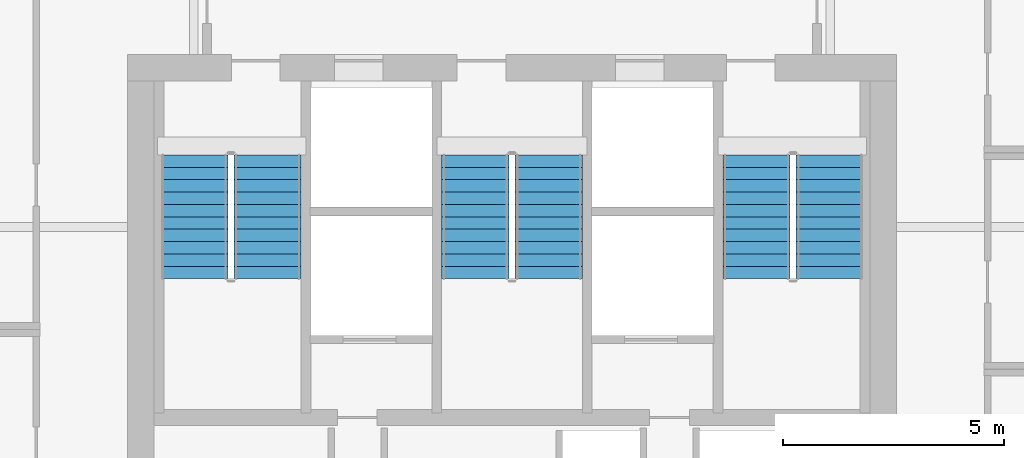
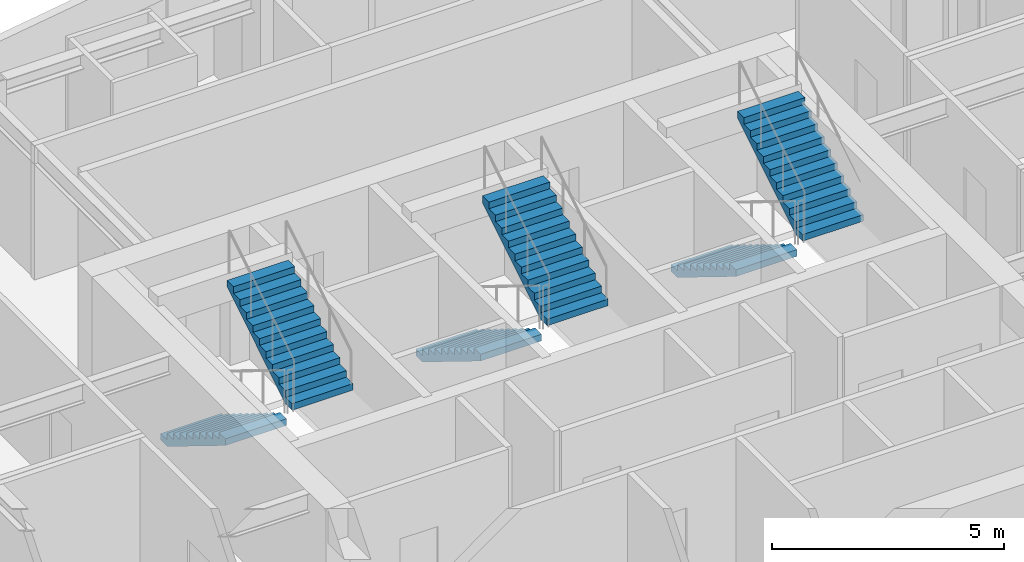
# One storey, part 10 of 11: 6 stair flights, 3 elements without a shape of their own.
"""IFC4 building model written with IfcOpenShell, lengths in metres."""

from ifc_helpers import new_model, si_unit, direction, frame, origin, place, context, subcontext, project, spatial, polyline, outline, extrude, material, type_object, element, aggregate, save


model = new_model("IFC4")

# Units and contexts
model_context = context("Model", 3, precision=1e-05, world=origin(), true_north=direction((0.0, 1.0)))
body_context = subcontext(model_context, "Body", "Model", "MODEL_VIEW")
ifc_project = project(units=[si_unit("LENGTHUNIT", "METRE"), si_unit("AREAUNIT", "SQUARE_METRE"), si_unit("VOLUMEUNIT", "CUBIC_METRE"), si_unit("PLANEANGLEUNIT", "RADIAN"), si_unit("MASSUNIT", "GRAM", prefix="KILO")], contexts=[model_context])

# Site, building, storey
site_placement = place(None, origin())
site = spatial("IfcSite", under=ifc_project, at=site_placement, CompositionType="ELEMENT")
building_placement = place(site_placement, origin())
building = spatial("IfcBuilding", under=site, at=building_placement, Name="Haolan Belvedere Tower", CompositionType="ELEMENT")
storey_placement = place(building_placement, frame((0.0, 0.0, 226.800048828125)))
storey = spatial("IfcBuildingStorey", under=building, at=storey_placement, Name="L57", CompositionType="ELEMENT", Elevation=226.800048828125)

# Stair, stair flights
ifc_material = material(Name="Concrete C40/50", Category="concrete")
stair_type = type_object("IfcStairType", Name="STR-DL-22R-173", PredefinedType="HALF_TURN_STAIR", material=ifc_material)
stair_1_placement = place(storey_placement, origin())
stair_1 = element("IfcStair", 1, at=stair_1_placement, inside=storey, type_object=stair_type, Name="L57 Smokeproof Core Exit Stair ST1", PredefinedType="HALF_TURN_STAIR")
stair_flight_type = type_object("IfcStairFlightType", Name="SFL-DL-11R-173", PredefinedType="STRAIGHT", material=ifc_material)
stair_flight_1_placement = place(storey_placement, frame((31.2099609375, 41.22998046875, 0.0), z_axis=(0.0, 0.0, 1.0), x_axis=(0.0, -1.0, 0.0)))
stair_flight_1 = element("IfcStairFlight", 2, at=stair_flight_1_placement, type_object=stair_flight_type, Name="ST1 flight 1", NumberOfRisers=11, NumberOfTreads=10, PredefinedType="STRAIGHT", RiserHeight=0.172727273, TreadLength=0.28, context=body_context, shape_type="SweptSolid", body=[
    extrude(outline(polyline([(0.0, 0.0), (0.0, 0.172607421875), (0.280029296875, 0.172607421875), (0.280029296875, 0.345458984375), (0.56005859375, 0.345458984375), (0.56005859375, 0.51806640625), (0.840087890625, 0.51806640625), (0.840087890625, 0.69091796875), (1.1201171875, 0.69091796875), (1.1201171875, 0.863525390625), (1.39990234375, 0.863525390625), (1.39990234375, 1.036376953125), (1.679931640625, 1.036376953125), (1.679931640625, 1.208984375), (1.9599609375, 1.208984375), (1.9599609375, 1.3818359375), (2.239990234375, 1.3818359375), (2.239990234375, 1.554443359375), (2.52001953125, 1.554443359375), (2.52001953125, 1.727294921875), (2.800048828125, 1.727294921875), (2.800048828125, 1.89990234375), (2.800048828125, 1.551025390625), (0.285400390625, 0.0), (0.0, 0.0)])), frame((0.0, 0.760009765625, 0.0), z_axis=(0.0, -1.0, 0.0), x_axis=(1.0, 0.0, 0.0)), (0.0, 0.0, 1.0), 1.52001953125),
])
stair_flight_2_placement = place(storey_placement, frame((32.8701171875, 38.429931640625, 1.89990234375), z_axis=(0.0, 0.0, 1.0), x_axis=(0.0, 1.0, 0.0)))
stair_flight_2 = element("IfcStairFlight", 3, at=stair_flight_2_placement, type_object=stair_flight_type, Name="ST1 flight 2", NumberOfRisers=11, NumberOfTreads=10, PredefinedType="STRAIGHT", RiserHeight=0.172727273, TreadLength=0.28, context=body_context, shape_type="SweptSolid", body=[
    extrude(outline(polyline([(0.0, 0.0), (0.0, 0.172607421875), (0.280029296875, 0.172607421875), (0.280029296875, 0.345458984375), (0.56005859375, 0.345458984375), (0.56005859375, 0.51806640625), (0.840087890625, 0.51806640625), (0.840087890625, 0.69091796875), (1.1201171875, 0.69091796875), (1.1201171875, 0.863525390625), (1.39990234375, 0.863525390625), (1.39990234375, 1.036376953125), (1.679931640625, 1.036376953125), (1.679931640625, 1.208984375), (1.9599609375, 1.208984375), (1.9599609375, 1.3818359375), (2.239990234375, 1.3818359375), (2.239990234375, 1.554443359375), (2.52001953125, 1.554443359375), (2.52001953125, 1.727294921875), (2.800048828125, 1.727294921875), (2.800048828125, 1.89990234375), (2.800048828125, 1.551025390625), (0.285400390625, 0.0), (0.0, 0.0)])), frame((0.0, 0.760009765625, 0.0), z_axis=(0.0, -1.0, 0.0), x_axis=(1.0, 0.0, 0.0)), (0.0, 0.0, 1.0), 1.52001953125),
])
aggregate(stair_1, [stair_flight_1, stair_flight_2])

stair_2_placement = place(storey_placement, origin())
stair_2 = element("IfcStair", 4, at=stair_2_placement, inside=storey, type_object=stair_type, Name="L57 Smokeproof Core Exit Stair ST3", PredefinedType="HALF_TURN_STAIR")
stair_flight_3_placement = place(storey_placement, frame((37.570068359375, 41.22998046875, 0.0), z_axis=(0.0, 0.0, 1.0), x_axis=(0.0, -1.0, 0.0)))
stair_flight_3 = element("IfcStairFlight", 5, at=stair_flight_3_placement, type_object=stair_flight_type, Name="ST3 flight 1", NumberOfRisers=11, NumberOfTreads=10, PredefinedType="STRAIGHT", RiserHeight=0.172727273, TreadLength=0.28, context=body_context, shape_type="SweptSolid", body=[
    extrude(outline(polyline([(0.0, 0.0), (0.0, 0.172607421875), (0.280029296875, 0.172607421875), (0.280029296875, 0.345458984375), (0.56005859375, 0.345458984375), (0.56005859375, 0.51806640625), (0.840087890625, 0.51806640625), (0.840087890625, 0.69091796875), (1.1201171875, 0.69091796875), (1.1201171875, 0.863525390625), (1.39990234375, 0.863525390625), (1.39990234375, 1.036376953125), (1.679931640625, 1.036376953125), (1.679931640625, 1.208984375), (1.9599609375, 1.208984375), (1.9599609375, 1.3818359375), (2.239990234375, 1.3818359375), (2.239990234375, 1.554443359375), (2.52001953125, 1.554443359375), (2.52001953125, 1.727294921875), (2.800048828125, 1.727294921875), (2.800048828125, 1.89990234375), (2.800048828125, 1.551025390625), (0.285400390625, 0.0), (0.0, 0.0)])), frame((0.0, 0.760009765625, 0.0), z_axis=(0.0, -1.0, 0.0), x_axis=(1.0, 0.0, 0.0)), (0.0, 0.0, 1.0), 1.52001953125),
])
stair_flight_4_placement = place(storey_placement, frame((39.22998046875, 38.429931640625, 1.89990234375), z_axis=(0.0, 0.0, 1.0), x_axis=(0.0, 1.0, 0.0)))
stair_flight_4 = element("IfcStairFlight", 6, at=stair_flight_4_placement, type_object=stair_flight_type, Name="ST3 flight 2", NumberOfRisers=11, NumberOfTreads=10, PredefinedType="STRAIGHT", RiserHeight=0.172727273, TreadLength=0.28, context=body_context, shape_type="SweptSolid", body=[
    extrude(outline(polyline([(0.0, 0.0), (0.0, 0.172607421875), (0.280029296875, 0.172607421875), (0.280029296875, 0.345458984375), (0.56005859375, 0.345458984375), (0.56005859375, 0.51806640625), (0.840087890625, 0.51806640625), (0.840087890625, 0.69091796875), (1.1201171875, 0.69091796875), (1.1201171875, 0.863525390625), (1.39990234375, 0.863525390625), (1.39990234375, 1.036376953125), (1.679931640625, 1.036376953125), (1.679931640625, 1.208984375), (1.9599609375, 1.208984375), (1.9599609375, 1.3818359375), (2.239990234375, 1.3818359375), (2.239990234375, 1.554443359375), (2.52001953125, 1.554443359375), (2.52001953125, 1.727294921875), (2.800048828125, 1.727294921875), (2.800048828125, 1.89990234375), (2.800048828125, 1.551025390625), (0.285400390625, 0.0), (0.0, 0.0)])), frame((0.0, 0.760009765625, 0.0), z_axis=(0.0, -1.0, 0.0), x_axis=(1.0, 0.0, 0.0)), (0.0, 0.0, 1.0), 1.52001953125),
])
aggregate(stair_2, [stair_flight_3, stair_flight_4])

stair_3_placement = place(storey_placement, origin())
stair_3 = element("IfcStair", 7, at=stair_3_placement, inside=storey, type_object=stair_type, Name="L57 Smokeproof Core Exit Stair ST2", PredefinedType="HALF_TURN_STAIR")
stair_flight_5_placement = place(storey_placement, frame((43.929931640625, 41.22998046875, 0.0), z_axis=(0.0, 0.0, 1.0), x_axis=(0.0, -1.0, 0.0)))
stair_flight_5 = element("IfcStairFlight", 8, at=stair_flight_5_placement, type_object=stair_flight_type, Name="ST2 flight 1", NumberOfRisers=11, NumberOfTreads=10, PredefinedType="STRAIGHT", RiserHeight=0.172727273, TreadLength=0.28, context=body_context, shape_type="SweptSolid", body=[
    extrude(outline(polyline([(0.0, 0.0), (0.0, 0.172607421875), (0.280029296875, 0.172607421875), (0.280029296875, 0.345458984375), (0.56005859375, 0.345458984375), (0.56005859375, 0.51806640625), (0.840087890625, 0.51806640625), (0.840087890625, 0.69091796875), (1.1201171875, 0.69091796875), (1.1201171875, 0.863525390625), (1.39990234375, 0.863525390625), (1.39990234375, 1.036376953125), (1.679931640625, 1.036376953125), (1.679931640625, 1.208984375), (1.9599609375, 1.208984375), (1.9599609375, 1.3818359375), (2.239990234375, 1.3818359375), (2.239990234375, 1.554443359375), (2.52001953125, 1.554443359375), (2.52001953125, 1.727294921875), (2.800048828125, 1.727294921875), (2.800048828125, 1.89990234375), (2.800048828125, 1.551025390625), (0.285400390625, 0.0), (0.0, 0.0)])), frame((0.0, 0.760009765625, 0.0), z_axis=(0.0, -1.0, 0.0), x_axis=(1.0, 0.0, 0.0)), (0.0, 0.0, 1.0), 1.52001953125),
])
stair_flight_6_placement = place(storey_placement, frame((45.590087890625, 38.429931640625, 1.89990234375), z_axis=(0.0, 0.0, 1.0), x_axis=(0.0, 1.0, 0.0)))
stair_flight_6 = element("IfcStairFlight", 9, at=stair_flight_6_placement, type_object=stair_flight_type, Name="ST2 flight 2", NumberOfRisers=11, NumberOfTreads=10, PredefinedType="STRAIGHT", RiserHeight=0.172727273, TreadLength=0.28, context=body_context, shape_type="SweptSolid", body=[
    extrude(outline(polyline([(0.0, 0.0), (0.0, 0.172607421875), (0.280029296875, 0.172607421875), (0.280029296875, 0.345458984375), (0.56005859375, 0.345458984375), (0.56005859375, 0.51806640625), (0.840087890625, 0.51806640625), (0.840087890625, 0.69091796875), (1.1201171875, 0.69091796875), (1.1201171875, 0.863525390625), (1.39990234375, 0.863525390625), (1.39990234375, 1.036376953125), (1.679931640625, 1.036376953125), (1.679931640625, 1.208984375), (1.9599609375, 1.208984375), (1.9599609375, 1.3818359375), (2.239990234375, 1.3818359375), (2.239990234375, 1.554443359375), (2.52001953125, 1.554443359375), (2.52001953125, 1.727294921875), (2.800048828125, 1.727294921875), (2.800048828125, 1.89990234375), (2.800048828125, 1.551025390625), (0.285400390625, 0.0), (0.0, 0.0)])), frame((0.0, 0.760009765625, 0.0), z_axis=(0.0, -1.0, 0.0), x_axis=(1.0, 0.0, 0.0)), (0.0, 0.0, 1.0), 1.52001953125),
])
aggregate(stair_3, [stair_flight_5, stair_flight_6])

save(model, "model.ifc")
